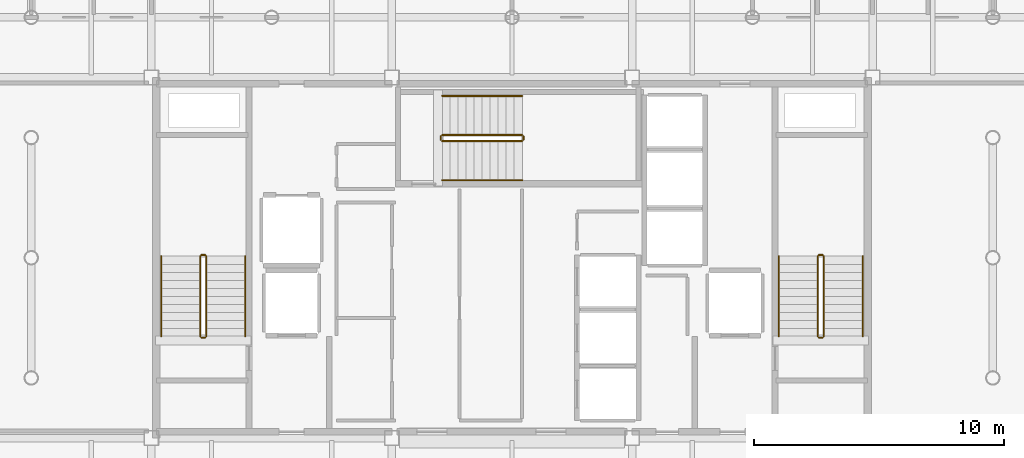
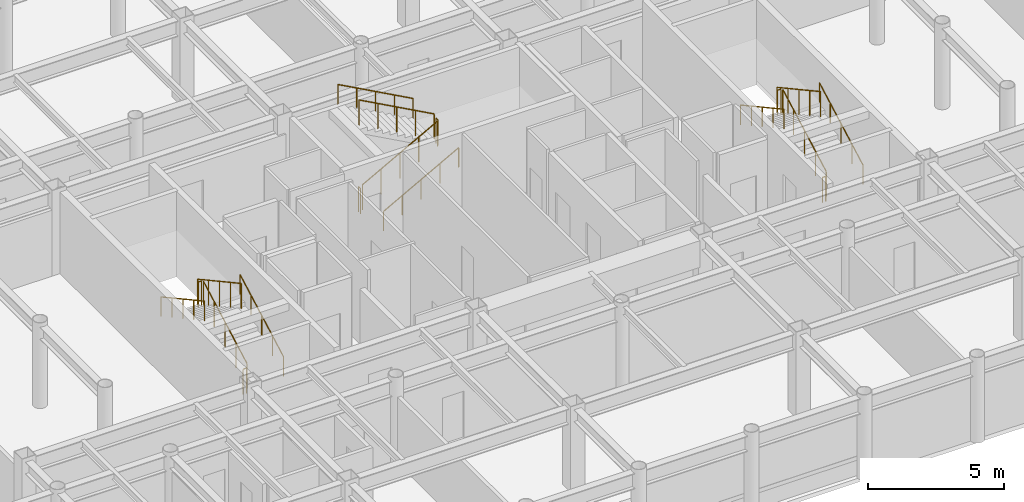
# One storey, part 22 of 22: 18 railings.
"""IFC4 building model written with IfcOpenShell, lengths in metres."""

from ifc_helpers import new_model, si_unit, direction, frame, origin, origin_2d, place, context, subcontext, project, spatial, circle, extrude, material, layer, layer_set, type_object, element, save


model = new_model("IFC4")

# Units and contexts
model_context = context("Model", 3, precision=1e-05, world=origin(), true_north=direction((0.0, 1.0)))
body_context = subcontext(model_context, "Body", "Model", "MODEL_VIEW")
ifc_project = project(units=[si_unit("LENGTHUNIT", "METRE"), si_unit("AREAUNIT", "SQUARE_METRE"), si_unit("VOLUMEUNIT", "CUBIC_METRE"), si_unit("PLANEANGLEUNIT", "RADIAN"), si_unit("MASSUNIT", "GRAM", prefix="KILO")], contexts=[model_context])

# Site, building, storey
site_placement = place(None, origin())
site = spatial("IfcSite", under=ifc_project, at=site_placement, CompositionType="ELEMENT")
building_placement = place(site_placement, origin())
building = spatial("IfcBuilding", under=site, at=building_placement, Name="Kallvorn Hotel Tower", CompositionType="ELEMENT")
storey_placement = place(building_placement, frame((0.0, 0.0, 264.64990234375)))
storey = spatial("IfcBuildingStorey", under=building, at=storey_placement, Name="L66", CompositionType="ELEMENT", Elevation=264.64990234375)

# Railings
ifc_material_1 = material(Name="Brushed stainless-steel tubular railing", Category="steel")
ifc_layer_1 = layer(ifc_material_1, 0.050048828125)
ifc_layer_set_1 = layer_set([ifc_layer_1], Name="RL_STAIR_GUARD")
railing_type_1 = type_object("IfcRailingType", Name="RL_STAIR_GUARD", PredefinedType="GUARDRAIL", material=ifc_layer_set_1)
railing_1_placement = place(storey_placement, frame((-12.2099609375, -3.139892578125, 0.175048828125)))
element("IfcRailing", 1, at=railing_1_placement, inside=storey, type_object=railing_type_1, Name="L66 ST1 stair guard 1", PredefinedType="GUARDRAIL", context=body_context, shape_type="SweptSolid", body=[
    extrude(circle(Radius=0.02392578125, at=origin_2d()), frame((0.0, 0.0, 1.1259765625), z_axis=(0.0, 0.877368057402, 0.479817977833), x_axis=(-1.0, 0.0, 0.0)), (0.0, 0.0, 1.0), 3.647216796875),
    extrude(circle(Radius=0.02099609375, at=origin_2d()), origin(), (0.0, 0.0, 1.0), 1.101806640625),
    extrude(circle(Radius=0.02099609375, at=origin_2d()), frame((0.0, 0.800048828125, 0.4375)), (0.0, 0.0, 1.0), 1.101806640625),
    extrude(circle(Radius=0.02099609375, at=origin_2d()), frame((0.0, 1.60009765625, 0.875)), (0.0, 0.0, 1.0), 1.101806640625),
    extrude(circle(Radius=0.02099609375, at=origin_2d()), frame((0.0, 2.39990234375, 1.3125)), (0.0, 0.0, 1.0), 1.101806640625),
    extrude(circle(Radius=0.02099609375, at=origin_2d()), frame((0.0, 3.199951171875, 1.75)), (0.0, 0.0, 1.0), 1.101806640625),
])
railing_2_placement = place(storey_placement, frame((-12.260009765625, 0.110107421875, 1.925048828125)))
element("IfcRailing", 2, at=railing_2_placement, inside=storey, type_object=railing_type_1, Name="L66 ST1 stair guard 2", PredefinedType="GUARDRAIL", context=body_context, shape_type="SweptSolid", body=[
    extrude(circle(Radius=0.02392578125, at=origin_2d()), frame((0.0, 0.0, 1.1259765625), z_axis=(-1.0, 0.0, 0.0), x_axis=(0.0, -1.0, 0.0)), (0.0, 0.0, 1.0), 0.139892578125),
    extrude(circle(Radius=0.02099609375, at=origin_2d()), origin(), (0.0, 0.0, 1.0), 1.101806640625),
    extrude(circle(Radius=0.02099609375, at=origin_2d()), frame((-0.139892578125, 0.0, 0.0)), (0.0, 0.0, 1.0), 1.101806640625),
])
railing_3_placement = place(storey_placement, frame((-12.449951171875, 0.06005859375, 2.10009765625)))
element("IfcRailing", 3, at=railing_3_placement, inside=storey, type_object=railing_type_1, Name="L66 ST1 stair guard 3", PredefinedType="GUARDRAIL", context=body_context, shape_type="SweptSolid", body=[
    extrude(circle(Radius=0.02392578125, at=origin_2d()), frame((0.0, 0.0, 1.1259765625), z_axis=(0.0, -0.877368057402, 0.479817977833), x_axis=(1.0, 0.0, 0.0)), (0.0, 0.0, 1.0), 3.647216796875),
    extrude(circle(Radius=0.02099609375, at=origin_2d()), origin(), (0.0, 0.0, 1.0), 1.101806640625),
    extrude(circle(Radius=0.02099609375, at=origin_2d()), frame((0.0, -0.800048828125, 0.4375)), (0.0, 0.0, 1.0), 1.101806640625),
    extrude(circle(Radius=0.02099609375, at=origin_2d()), frame((0.0, -1.60009765625, 0.875)), (0.0, 0.0, 1.0), 1.101806640625),
    extrude(circle(Radius=0.02099609375, at=origin_2d()), frame((0.0, -2.39990234375, 1.3125)), (0.0, 0.0, 1.0), 1.101806640625),
    extrude(circle(Radius=0.02099609375, at=origin_2d()), frame((0.0, -3.199951171875, 1.75)), (0.0, 0.0, 1.0), 1.101806640625),
])
railing_4_placement = place(storey_placement, frame((-12.260009765625, -3.18994140625, 0.0)))
element("IfcRailing", 4, at=railing_4_placement, inside=storey, type_object=railing_type_1, Name="L66 ST1 stair guard 4", PredefinedType="GUARDRAIL", context=body_context, shape_type="SweptSolid", body=[
    extrude(circle(Radius=0.02392578125, at=origin_2d()), frame((0.0, 0.0, 1.1259765625), z_axis=(-1.0, 0.0, 0.0), x_axis=(0.0, -1.0, 0.0)), (0.0, 0.0, 1.0), 0.139892578125),
    extrude(circle(Radius=0.02099609375, at=origin_2d()), origin(), (0.0, 0.0, 1.0), 1.101806640625),
    extrude(circle(Radius=0.02099609375, at=origin_2d()), frame((-0.139892578125, 0.0, 0.0)), (0.0, 0.0, 1.0), 1.101806640625),
])
railing_5_placement = place(storey_placement, frame((12.449951171875, -3.139892578125, 0.175048828125)))
element("IfcRailing", 5, at=railing_5_placement, inside=storey, type_object=railing_type_1, Name="L66 ST2 stair guard 1", PredefinedType="GUARDRAIL", context=body_context, shape_type="SweptSolid", body=[
    extrude(circle(Radius=0.02392578125, at=origin_2d()), frame((0.0, 0.0, 1.1259765625), z_axis=(0.0, 0.877368057402, 0.479817977833), x_axis=(-1.0, 0.0, 0.0)), (0.0, 0.0, 1.0), 3.647216796875),
    extrude(circle(Radius=0.02099609375, at=origin_2d()), origin(), (0.0, 0.0, 1.0), 1.101806640625),
    extrude(circle(Radius=0.02099609375, at=origin_2d()), frame((0.0, 0.800048828125, 0.4375)), (0.0, 0.0, 1.0), 1.101806640625),
    extrude(circle(Radius=0.02099609375, at=origin_2d()), frame((0.0, 1.60009765625, 0.875)), (0.0, 0.0, 1.0), 1.101806640625),
    extrude(circle(Radius=0.02099609375, at=origin_2d()), frame((0.0, 2.39990234375, 1.3125)), (0.0, 0.0, 1.0), 1.101806640625),
    extrude(circle(Radius=0.02099609375, at=origin_2d()), frame((0.0, 3.199951171875, 1.75)), (0.0, 0.0, 1.0), 1.101806640625),
])
railing_6_placement = place(storey_placement, frame((12.39990234375, 0.110107421875, 1.925048828125)))
element("IfcRailing", 6, at=railing_6_placement, inside=storey, type_object=railing_type_1, Name="L66 ST2 stair guard 2", PredefinedType="GUARDRAIL", context=body_context, shape_type="SweptSolid", body=[
    extrude(circle(Radius=0.02392578125, at=origin_2d()), frame((0.0, 0.0, 1.1259765625), z_axis=(-1.0, 0.0, 0.0), x_axis=(0.0, -1.0, 0.0)), (0.0, 0.0, 1.0), 0.139892578125),
    extrude(circle(Radius=0.02099609375, at=origin_2d()), origin(), (0.0, 0.0, 1.0), 1.101806640625),
    extrude(circle(Radius=0.02099609375, at=origin_2d()), frame((-0.139892578125, 0.0, 0.0)), (0.0, 0.0, 1.0), 1.101806640625),
])
railing_7_placement = place(storey_placement, frame((12.2099609375, 0.06005859375, 2.10009765625)))
element("IfcRailing", 7, at=railing_7_placement, inside=storey, type_object=railing_type_1, Name="L66 ST2 stair guard 3", PredefinedType="GUARDRAIL", context=body_context, shape_type="SweptSolid", body=[
    extrude(circle(Radius=0.02392578125, at=origin_2d()), frame((0.0, 0.0, 1.1259765625), z_axis=(0.0, -0.877368057402, 0.479817977833), x_axis=(1.0, 0.0, 0.0)), (0.0, 0.0, 1.0), 3.647216796875),
    extrude(circle(Radius=0.02099609375, at=origin_2d()), origin(), (0.0, 0.0, 1.0), 1.101806640625),
    extrude(circle(Radius=0.02099609375, at=origin_2d()), frame((0.0, -0.800048828125, 0.4375)), (0.0, 0.0, 1.0), 1.101806640625),
    extrude(circle(Radius=0.02099609375, at=origin_2d()), frame((0.0, -1.60009765625, 0.875)), (0.0, 0.0, 1.0), 1.101806640625),
    extrude(circle(Radius=0.02099609375, at=origin_2d()), frame((0.0, -2.39990234375, 1.3125)), (0.0, 0.0, 1.0), 1.101806640625),
    extrude(circle(Radius=0.02099609375, at=origin_2d()), frame((0.0, -3.199951171875, 1.75)), (0.0, 0.0, 1.0), 1.101806640625),
])
railing_8_placement = place(storey_placement, frame((12.39990234375, -3.18994140625, 0.0)))
element("IfcRailing", 8, at=railing_8_placement, inside=storey, type_object=railing_type_1, Name="L66 ST2 stair guard 4", PredefinedType="GUARDRAIL", context=body_context, shape_type="SweptSolid", body=[
    extrude(circle(Radius=0.02392578125, at=origin_2d()), frame((0.0, 0.0, 1.1259765625), z_axis=(-1.0, 0.0, 0.0), x_axis=(0.0, -1.0, 0.0)), (0.0, 0.0, 1.0), 0.139892578125),
    extrude(circle(Radius=0.02099609375, at=origin_2d()), origin(), (0.0, 0.0, 1.0), 1.101806640625),
    extrude(circle(Radius=0.02099609375, at=origin_2d()), frame((-0.139892578125, 0.0, 0.0)), (0.0, 0.0, 1.0), 1.101806640625),
])
railing_9_placement = place(storey_placement, frame((-2.7900390625, 4.659912109375, 0.175048828125)))
element("IfcRailing", 9, at=railing_9_placement, inside=storey, type_object=railing_type_1, Name="L66 ST3 stair guard 1", PredefinedType="GUARDRAIL", context=body_context, shape_type="SweptSolid", body=[
    extrude(circle(Radius=0.02392578125, at=origin_2d()), frame((0.0, 0.0, 1.1259765625), z_axis=(0.877368057402, 0.0, 0.479817977833), x_axis=(0.0, 1.0, 0.0)), (0.0, 0.0, 1.0), 3.647216796875),
    extrude(circle(Radius=0.02099609375, at=origin_2d()), origin(), (0.0, 0.0, 1.0), 1.101806640625),
    extrude(circle(Radius=0.02099609375, at=origin_2d()), frame((0.800048828125, 0.0, 0.4375)), (0.0, 0.0, 1.0), 1.101806640625),
    extrude(circle(Radius=0.02099609375, at=origin_2d()), frame((1.60009765625, 0.0, 0.875)), (0.0, 0.0, 1.0), 1.101806640625),
    extrude(circle(Radius=0.02099609375, at=origin_2d()), frame((2.39990234375, 0.0, 1.3125)), (0.0, 0.0, 1.0), 1.101806640625),
    extrude(circle(Radius=0.02099609375, at=origin_2d()), frame((3.199951171875, 0.0, 1.75)), (0.0, 0.0, 1.0), 1.101806640625),
])
railing_10_placement = place(storey_placement, frame((0.4599609375, 4.7099609375, 1.925048828125)))
element("IfcRailing", 10, at=railing_10_placement, inside=storey, type_object=railing_type_1, Name="L66 ST3 stair guard 2", PredefinedType="GUARDRAIL", context=body_context, shape_type="SweptSolid", body=[
    extrude(circle(Radius=0.02392578125, at=origin_2d()), frame((0.0, 0.0, 1.1259765625), z_axis=(0.0, 1.0, 0.0), x_axis=(-1.0, 0.0, 0.0)), (0.0, 0.0, 1.0), 0.14013671875),
    extrude(circle(Radius=0.02099609375, at=origin_2d()), origin(), (0.0, 0.0, 1.0), 1.101806640625),
    extrude(circle(Radius=0.02099609375, at=origin_2d()), frame((0.0, 0.14013671875, 0.0)), (0.0, 0.0, 1.0), 1.101806640625),
])
railing_11_placement = place(storey_placement, frame((0.409912109375, 4.89990234375, 2.10009765625)))
element("IfcRailing", 11, at=railing_11_placement, inside=storey, type_object=railing_type_1, Name="L66 ST3 stair guard 3", PredefinedType="GUARDRAIL", context=body_context, shape_type="SweptSolid", body=[
    extrude(circle(Radius=0.02392578125, at=origin_2d()), frame((0.0, 0.0, 1.1259765625), z_axis=(-0.877368057402, 0.0, 0.479817977833), x_axis=(0.0, -1.0, 0.0)), (0.0, 0.0, 1.0), 3.647216796875),
    extrude(circle(Radius=0.02099609375, at=origin_2d()), origin(), (0.0, 0.0, 1.0), 1.101806640625),
    extrude(circle(Radius=0.02099609375, at=origin_2d()), frame((-0.800048828125, 0.0, 0.4375)), (0.0, 0.0, 1.0), 1.101806640625),
    extrude(circle(Radius=0.02099609375, at=origin_2d()), frame((-1.60009765625, 0.0, 0.875)), (0.0, 0.0, 1.0), 1.101806640625),
    extrude(circle(Radius=0.02099609375, at=origin_2d()), frame((-2.39990234375, 0.0, 1.3125)), (0.0, 0.0, 1.0), 1.101806640625),
    extrude(circle(Radius=0.02099609375, at=origin_2d()), frame((-3.199951171875, 0.0, 1.75)), (0.0, 0.0, 1.0), 1.101806640625),
])
railing_12_placement = place(storey_placement, frame((-2.840087890625, 4.7099609375, 0.0)))
element("IfcRailing", 12, at=railing_12_placement, inside=storey, type_object=railing_type_1, Name="L66 ST3 stair guard 4", PredefinedType="GUARDRAIL", context=body_context, shape_type="SweptSolid", body=[
    extrude(circle(Radius=0.02392578125, at=origin_2d()), frame((0.0, 0.0, 1.1259765625), z_axis=(0.0, 1.0, 0.0), x_axis=(-1.0, 0.0, 0.0)), (0.0, 0.0, 1.0), 0.14013671875),
    extrude(circle(Radius=0.02099609375, at=origin_2d()), origin(), (0.0, 0.0, 1.0), 1.101806640625),
    extrude(circle(Radius=0.02099609375, at=origin_2d()), frame((0.0, 0.14013671875, 0.0)), (0.0, 0.0, 1.0), 1.101806640625),
])
ifc_material_2 = material(Name="Brushed stainless-steel tubular railing", Category="steel")
ifc_layer_2 = layer(ifc_material_2, 0.050048828125)
ifc_layer_set_2 = layer_set([ifc_layer_2], Name="RL_STAIR_HAND")
railing_type_2 = type_object("IfcRailingType", Name="RL_STAIR_HAND", PredefinedType="HANDRAIL", material=ifc_layer_set_2)
railing_13_placement = place(storey_placement, frame((-10.64990234375, -3.139892578125, 0.175048828125)))
element("IfcRailing", 13, at=railing_13_placement, inside=storey, type_object=railing_type_2, Name="L66 ST1 stair handrail 1", PredefinedType="HANDRAIL", context=body_context, shape_type="SweptSolid", body=[
    extrude(circle(Radius=0.02392578125, at=origin_2d()), frame((0.0, 0.0, 0.8759765625), z_axis=(0.0, 0.877368057402, 0.479817977833), x_axis=(-1.0, 0.0, 0.0)), (0.0, 0.0, 1.0), 3.647216796875),
    extrude(circle(Radius=0.02099609375, at=origin_2d()), origin(), (0.0, 0.0, 1.0), 0.851806640625),
    extrude(circle(Radius=0.02099609375, at=origin_2d()), frame((0.0, 0.800048828125, 0.4375)), (0.0, 0.0, 1.0), 0.851806640625),
    extrude(circle(Radius=0.02099609375, at=origin_2d()), frame((0.0, 1.60009765625, 0.875)), (0.0, 0.0, 1.0), 0.851806640625),
    extrude(circle(Radius=0.02099609375, at=origin_2d()), frame((0.0, 2.39990234375, 1.3125)), (0.0, 0.0, 1.0), 0.851806640625),
    extrude(circle(Radius=0.02099609375, at=origin_2d()), frame((0.0, 3.199951171875, 1.75)), (0.0, 0.0, 1.0), 0.851806640625),
])
railing_14_placement = place(storey_placement, frame((-14.010009765625, 0.06005859375, 2.10009765625)))
element("IfcRailing", 14, at=railing_14_placement, inside=storey, type_object=railing_type_2, Name="L66 ST1 stair handrail 2", PredefinedType="HANDRAIL", context=body_context, shape_type="SweptSolid", body=[
    extrude(circle(Radius=0.02392578125, at=origin_2d()), frame((0.0, 0.0, 0.8759765625), z_axis=(0.0, -0.877368057402, 0.479817977833), x_axis=(1.0, 0.0, 0.0)), (0.0, 0.0, 1.0), 3.647216796875),
    extrude(circle(Radius=0.02099609375, at=origin_2d()), origin(), (0.0, 0.0, 1.0), 0.851806640625),
    extrude(circle(Radius=0.02099609375, at=origin_2d()), frame((0.0, -0.800048828125, 0.4375)), (0.0, 0.0, 1.0), 0.851806640625),
    extrude(circle(Radius=0.02099609375, at=origin_2d()), frame((0.0, -1.60009765625, 0.875)), (0.0, 0.0, 1.0), 0.851806640625),
    extrude(circle(Radius=0.02099609375, at=origin_2d()), frame((0.0, -2.39990234375, 1.3125)), (0.0, 0.0, 1.0), 0.851806640625),
    extrude(circle(Radius=0.02099609375, at=origin_2d()), frame((0.0, -3.199951171875, 1.75)), (0.0, 0.0, 1.0), 0.851806640625),
])
railing_15_placement = place(storey_placement, frame((14.010009765625, -3.139892578125, 0.175048828125)))
element("IfcRailing", 15, at=railing_15_placement, inside=storey, type_object=railing_type_2, Name="L66 ST2 stair handrail 1", PredefinedType="HANDRAIL", context=body_context, shape_type="SweptSolid", body=[
    extrude(circle(Radius=0.02392578125, at=origin_2d()), frame((0.0, 0.0, 0.8759765625), z_axis=(0.0, 0.877368057402, 0.479817977833), x_axis=(-1.0, 0.0, 0.0)), (0.0, 0.0, 1.0), 3.647216796875),
    extrude(circle(Radius=0.02099609375, at=origin_2d()), origin(), (0.0, 0.0, 1.0), 0.851806640625),
    extrude(circle(Radius=0.02099609375, at=origin_2d()), frame((0.0, 0.800048828125, 0.4375)), (0.0, 0.0, 1.0), 0.851806640625),
    extrude(circle(Radius=0.02099609375, at=origin_2d()), frame((0.0, 1.60009765625, 0.875)), (0.0, 0.0, 1.0), 0.851806640625),
    extrude(circle(Radius=0.02099609375, at=origin_2d()), frame((0.0, 2.39990234375, 1.3125)), (0.0, 0.0, 1.0), 0.851806640625),
    extrude(circle(Radius=0.02099609375, at=origin_2d()), frame((0.0, 3.199951171875, 1.75)), (0.0, 0.0, 1.0), 0.851806640625),
])
railing_16_placement = place(storey_placement, frame((10.64990234375, 0.06005859375, 2.10009765625)))
element("IfcRailing", 16, at=railing_16_placement, inside=storey, type_object=railing_type_2, Name="L66 ST2 stair handrail 2", PredefinedType="HANDRAIL", context=body_context, shape_type="SweptSolid", body=[
    extrude(circle(Radius=0.02392578125, at=origin_2d()), frame((0.0, 0.0, 0.8759765625), z_axis=(0.0, -0.877368057402, 0.479817977833), x_axis=(1.0, 0.0, 0.0)), (0.0, 0.0, 1.0), 3.647216796875),
    extrude(circle(Radius=0.02099609375, at=origin_2d()), origin(), (0.0, 0.0, 1.0), 0.851806640625),
    extrude(circle(Radius=0.02099609375, at=origin_2d()), frame((0.0, -0.800048828125, 0.4375)), (0.0, 0.0, 1.0), 0.851806640625),
    extrude(circle(Radius=0.02099609375, at=origin_2d()), frame((0.0, -1.60009765625, 0.875)), (0.0, 0.0, 1.0), 0.851806640625),
    extrude(circle(Radius=0.02099609375, at=origin_2d()), frame((0.0, -2.39990234375, 1.3125)), (0.0, 0.0, 1.0), 0.851806640625),
    extrude(circle(Radius=0.02099609375, at=origin_2d()), frame((0.0, -3.199951171875, 1.75)), (0.0, 0.0, 1.0), 0.851806640625),
])
railing_17_placement = place(storey_placement, frame((-2.7900390625, 3.10009765625, 0.175048828125)))
element("IfcRailing", 17, at=railing_17_placement, inside=storey, type_object=railing_type_2, Name="L66 ST3 stair handrail 1", PredefinedType="HANDRAIL", context=body_context, shape_type="SweptSolid", body=[
    extrude(circle(Radius=0.02392578125, at=origin_2d()), frame((0.0, 0.0, 0.8759765625), z_axis=(0.877368057402, 0.0, 0.479817977833), x_axis=(0.0, 1.0, 0.0)), (0.0, 0.0, 1.0), 3.647216796875),
    extrude(circle(Radius=0.02099609375, at=origin_2d()), origin(), (0.0, 0.0, 1.0), 0.851806640625),
    extrude(circle(Radius=0.02099609375, at=origin_2d()), frame((0.800048828125, 0.0, 0.4375)), (0.0, 0.0, 1.0), 0.851806640625),
    extrude(circle(Radius=0.02099609375, at=origin_2d()), frame((1.60009765625, 0.0, 0.875)), (0.0, 0.0, 1.0), 0.851806640625),
    extrude(circle(Radius=0.02099609375, at=origin_2d()), frame((2.39990234375, 0.0, 1.3125)), (0.0, 0.0, 1.0), 0.851806640625),
    extrude(circle(Radius=0.02099609375, at=origin_2d()), frame((3.199951171875, 0.0, 1.75)), (0.0, 0.0, 1.0), 0.851806640625),
])
railing_18_placement = place(storey_placement, frame((0.409912109375, 6.4599609375, 2.10009765625)))
element("IfcRailing", 18, at=railing_18_placement, inside=storey, type_object=railing_type_2, Name="L66 ST3 stair handrail 2", PredefinedType="HANDRAIL", context=body_context, shape_type="SweptSolid", body=[
    extrude(circle(Radius=0.02392578125, at=origin_2d()), frame((0.0, 0.0, 0.8759765625), z_axis=(-0.877368057402, 0.0, 0.479817977833), x_axis=(0.0, -1.0, 0.0)), (0.0, 0.0, 1.0), 3.647216796875),
    extrude(circle(Radius=0.02099609375, at=origin_2d()), origin(), (0.0, 0.0, 1.0), 0.851806640625),
    extrude(circle(Radius=0.02099609375, at=origin_2d()), frame((-0.800048828125, 0.0, 0.4375)), (0.0, 0.0, 1.0), 0.851806640625),
    extrude(circle(Radius=0.02099609375, at=origin_2d()), frame((-1.60009765625, 0.0, 0.875)), (0.0, 0.0, 1.0), 0.851806640625),
    extrude(circle(Radius=0.02099609375, at=origin_2d()), frame((-2.39990234375, 0.0, 1.3125)), (0.0, 0.0, 1.0), 0.851806640625),
    extrude(circle(Radius=0.02099609375, at=origin_2d()), frame((-3.199951171875, 0.0, 1.75)), (0.0, 0.0, 1.0), 0.851806640625),
])

save(model, "model.ifc")
